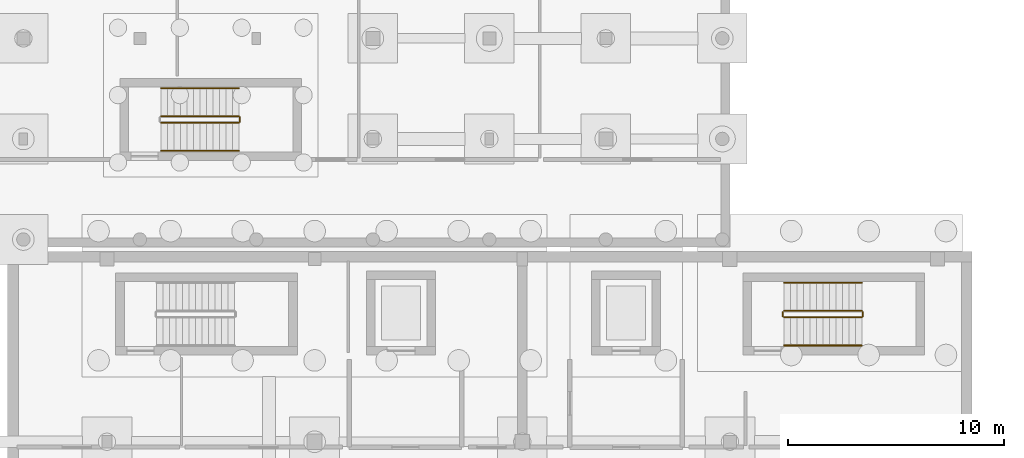
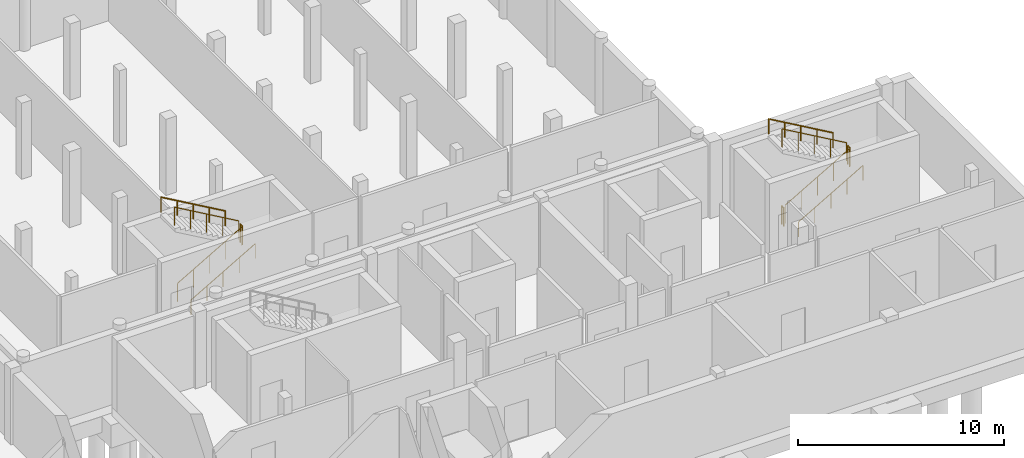
# One storey, part 12 of 14: 11 railings.
"""IFC4 building model written with IfcOpenShell, lengths in metres."""

import ifcopenshell
import ifcopenshell.guid

model = None  # the IFC model being written
_history = None  # IfcOwnerHistory: only IFC2X3 demands one
_inside = {}  # id of a spatial element -> (the spatial element, [elements in it])
_under = {}  # id of a project, library or spatial element -> (it, [spatial elements below it])
_declared = {}  # id of a project -> (the project, [libraries it declares])
_typed = {}  # id of a type object -> (the type object, [elements of that type])
_made_of = {}  # id of a material, layer set ... -> (it, [elements and type objects made of it])


def new_model(schema):
    """Start an empty IFC model of exactly this schema.

    Asked for "IFC4X3", IfcOpenShell would pick the latest addendum, in which some entities
    have other attributes; the version numbers below select the first issue.
    IFC2X3 requires an IfcOwnerHistory on every rooted entity: one is made here for all.
    """
    global model, _history
    if schema == "IFC4X3":
        model = ifcopenshell.file(schema_version=(4, 3, 0, 0))
    else:
        model = ifcopenshell.file(schema=schema)
    _inside.clear()
    _under.clear()
    _declared.clear()
    _typed.clear()
    _made_of.clear()
    _history = None
    if model.schema == "IFC2X3":
        org = make("IfcOrganization", Name="unknown")
        user = make(
            "IfcPersonAndOrganization",
            ThePerson=make("IfcPerson", FamilyName="unknown"),
            TheOrganization=org,
        )
        app = make(
            "IfcApplication",
            ApplicationDeveloper=org,
            Version="unknown",
            ApplicationFullName="unknown",
            ApplicationIdentifier="unknown",
        )
        _history = make(
            "IfcOwnerHistory",
            OwningUser=user,
            OwningApplication=app,
            ChangeAction="ADDED",
            CreationDate=0,
        )
    return model


def make(cls, **values):
    """One entity of the class cls with the attributes given. An attribute that is None is left unset."""
    return model.create_entity(
        cls, **{name: value for name, value in values.items() if value is not None}
    )


def rooted(cls, **values):
    """An entity with a GlobalId (a new one), such as an element, a storey or a relation."""
    return make(cls, GlobalId=ifcopenshell.guid.new(), OwnerHistory=_history, **values)


def si_unit(unit_type, name, prefix=None):
    """IfcSIUnit, for example si_unit("LENGTHUNIT", "METRE", prefix="MILLI")."""
    return make("IfcSIUnit", UnitType=unit_type, Prefix=prefix, Name=name)


def assignment(units):
    """IfcUnitAssignment: the units of a project."""
    return None if units is None else make("IfcUnitAssignment", Units=units)


def point(xyz):
    """IfcCartesianPoint."""
    return None if xyz is None else make("IfcCartesianPoint", Coordinates=xyz)


def direction(xyz):
    """IfcDirection."""
    return None if xyz is None else make("IfcDirection", DirectionRatios=xyz)


def frame(location, z_axis=None, x_axis=None):
    """IfcAxis2Placement3D, a coordinate frame: its origin and axes. An axis left out is left unset."""
    return make(
        "IfcAxis2Placement3D",
        Location=point(location),
        Axis=direction(z_axis),
        RefDirection=direction(x_axis),
    )


def frame_2d(location, x_axis=None):
    """IfcAxis2Placement2D, a coordinate frame in the plane: its origin and x axis."""
    return make(
        "IfcAxis2Placement2D", Location=point(location), RefDirection=direction(x_axis)
    )


def origin():
    """The frame at (0, 0, 0) with its axes left unset."""
    return frame((0.0, 0.0, 0.0))


def origin_2d():
    """The frame at (0, 0) in the plane with its x axis left unset."""
    return frame_2d((0.0, 0.0))


def place(relative_to, where):
    """IfcLocalPlacement: puts the frame where relative to a parent placement (None: the world)."""
    return make(
        "IfcLocalPlacement", PlacementRelTo=relative_to, RelativePlacement=where
    )


def context(
    kind, dimensions, precision=None, world=None, true_north=None, identifier=None
):
    """IfcGeometricRepresentationContext, for example the 3D "Model" context."""
    return make(
        "IfcGeometricRepresentationContext",
        ContextIdentifier=identifier,
        ContextType=kind,
        CoordinateSpaceDimension=dimensions,
        Precision=precision,
        WorldCoordinateSystem=world,
        TrueNorth=true_north,
    )


def subcontext(parent, identifier, kind, view, scale=None):
    """IfcGeometricRepresentationSubContext, for example "Body" below "Model"."""
    return make(
        "IfcGeometricRepresentationSubContext",
        ContextIdentifier=identifier,
        ContextType=kind,
        ParentContext=parent,
        TargetScale=scale,
        TargetView=view,
    )


def project(units=None, contexts=None):
    """IfcProject with its units and contexts."""
    return rooted(
        "IfcProject",
        Name="project",
        RepresentationContexts=contexts,
        UnitsInContext=assignment(units),
    )


def spatial(cls, under=None, at=None, **own):
    """A site, building, storey or space (cls), placed at a placement, below another one or the project."""
    s = rooted(cls, ObjectPlacement=at, **own)
    if under is not None:
        _under.setdefault(under.id(), (under, []))[1].append(s)
    return s


def profile(cls, at=None, kind="AREA", **sizes):
    """A parametric profile (cls). Its sizes go by their IFC names, for example OverallWidth=200.0."""
    return make(cls, ProfileType=kind, Position=at, **sizes)


def circle(**sizes):
    """IfcCircleProfileDef."""
    return profile("IfcCircleProfileDef", **sizes)


def extrude(swept, where, along, depth):
    """IfcExtrudedAreaSolid: the profile swept, set in the frame where, extruded along a direction by depth."""
    return make(
        "IfcExtrudedAreaSolid",
        SweptArea=swept,
        Position=where,
        ExtrudedDirection=direction(along),
        Depth=depth,
    )


def shape(context_of_items, identifier, shape_type, items):
    """IfcShapeRepresentation: the items that make up one representation, for example the "Body"."""
    return make(
        "IfcShapeRepresentation",
        ContextOfItems=context_of_items,
        RepresentationIdentifier=identifier,
        RepresentationType=shape_type,
        Items=items,
    )


def material(Name=None, Category=None):
    """IfcMaterial."""
    return make("IfcMaterial", Name=Name, Category=Category)


def made_of(thing, what):
    """Note that an element or type object is made of a material, layer set ...; save() writes the relation."""
    if what is not None:
        _made_of.setdefault(what.id(), (what, []))[1].append(thing)
    return thing


def type_object(cls, material=None, **own):
    """A type object (cls), such as IfcWallType, which elements share."""
    return made_of(rooted(cls, **own), material)


def element(
    cls,
    number,
    at=None,
    inside=None,
    cuts=None,
    type_object=None,
    material=None,
    context=None,
    identifier="Body",
    shape_type=None,
    held_by="IfcProductDefinitionShape",
    body=None,
    shapes=None,
    **own,
):
    """One element of the class cls, such as IfcWall. Its Tag is "e" and its number.

    at: its placement. inside: the storey or other place that contains it. cuts: it is an
    opening in that element (IfcRelVoidsElement). A single representation is given by context,
    identifier, shape_type and body (its items); several are given by shapes. held_by: the class
    of the entity that holds the representations. save() writes the other relations.
    """
    e = rooted(cls, Tag="e%d" % number, ObjectPlacement=at, **own)
    if body is not None:
        shapes = [shape(context, identifier, shape_type, body)]
    if shapes is not None:
        e.Representation = make(held_by, Representations=shapes)
    if inside is not None:
        _inside.setdefault(inside.id(), (inside, []))[1].append(e)
    if cuts is not None:
        rooted(
            "IfcRelVoidsElement", RelatingBuildingElement=cuts, RelatedOpeningElement=e
        )
    if type_object is not None:
        _typed.setdefault(type_object.id(), (type_object, []))[1].append(e)
    return made_of(e, material)


def aggregate(whole, parts):
    """IfcRelAggregates: a whole, such as a stair, and the parts it consists of."""
    return rooted("IfcRelAggregates", RelatingObject=whole, RelatedObjects=parts)


def save(model, path):
    """Write the relations noted so far, then the file.

    IfcRelAggregates (storeys below a building ...), IfcRelContainedInSpatialStructure (elements
    in a storey), IfcRelDefinesByType, IfcRelAssociatesMaterial and IfcRelDeclares: one each for
    every whole, place, type object, material and project.
    """
    for whole, parts in _under.values():
        aggregate(whole, parts)
    for where, things in _inside.values():
        rooted(
            "IfcRelContainedInSpatialStructure",
            RelatedElements=things,
            RelatingStructure=where,
        )
    for kind, things in _typed.values():
        rooted("IfcRelDefinesByType", RelatedObjects=things, RelatingType=kind)
    for what, things in _made_of.values():
        rooted("IfcRelAssociatesMaterial", RelatedObjects=things, RelatingMaterial=what)
    for by, libraries in _declared.values():
        rooted("IfcRelDeclares", RelatingContext=by, RelatedDefinitions=libraries)
    model.write(path)


model = new_model("IFC4")

# Units and contexts
model_context = context("Model", 3, precision=1e-05, world=origin(), true_north=direction((0.0, 1.0)))
body_context = subcontext(model_context, "Body", "Model", "MODEL_VIEW")
ifc_project = project(units=[si_unit("LENGTHUNIT", "METRE"), si_unit("AREAUNIT", "SQUARE_METRE"), si_unit("VOLUMEUNIT", "CUBIC_METRE"), si_unit("PLANEANGLEUNIT", "RADIAN"), si_unit("MASSUNIT", "GRAM", prefix="KILO")], contexts=[model_context])

# Site, building, storey
site_placement = place(None, origin())
site = spatial("IfcSite", under=ifc_project, at=site_placement, CompositionType="ELEMENT")
building_placement = place(site_placement, origin())
building = spatial("IfcBuilding", under=site, at=building_placement, Name="Birchvale Park Specialist Clinic", CompositionType="ELEMENT")
storey_placement = place(building_placement, frame((0.0, 0.0, -4.5)))
storey = spatial("IfcBuildingStorey", under=building, at=storey_placement, Name="B1", CompositionType="ELEMENT", Elevation=-4.5)

# Railings
ifc_material_1 = material(Name="Brushed stainless steel guard railing", Category="steel")
railing_type_1 = type_object("IfcRailingType", Name="RL-GRD1", PredefinedType="GUARDRAIL", material=ifc_material_1)
railing_1_placement = place(storey_placement, frame((63.89990234375, 40.550048828125, 0.173095703125)))
element("IfcRailing", 1, at=railing_1_placement, inside=storey, type_object=railing_type_1, Name="B1 ST1 stair guard 1", PredefinedType="GUARDRAIL", context=body_context, shape_type="SweptSolid", body=[
    extrude(circle(Radius=0.02392578125, at=origin_2d()), frame((0.0, 0.0, 1.076171875), z_axis=(0.866193409371, 0.0, 0.499708892819), x_axis=(0.0, 1.0, 0.0)), (0.0, 0.0, 1.0), 4.15625),
    extrude(circle(Radius=0.02099609375, at=origin_2d()), origin(), (0.0, 0.0, 1.0), 1.052001953125),
    extrude(circle(Radius=0.02099609375, at=origin_2d()), frame((0.89990234375, 0.0, 0.519287109375)), (0.0, 0.0, 1.0), 1.052001953125),
    extrude(circle(Radius=0.02099609375, at=origin_2d()), frame((1.800048828125, 0.0, 1.03857421875)), (0.0, 0.0, 1.0), 1.052001953125),
    extrude(circle(Radius=0.02099609375, at=origin_2d()), frame((2.7001953125, 0.0, 1.5576171875)), (0.0, 0.0, 1.0), 1.052001953125),
    extrude(circle(Radius=0.02099609375, at=origin_2d()), frame((3.60009765625, 0.0, 2.076904296875)), (0.0, 0.0, 1.0), 1.052001953125),
])
railing_2_placement = place(storey_placement, frame((67.550048828125, 40.60009765625, 2.25)))
element("IfcRailing", 2, at=railing_2_placement, inside=storey, type_object=railing_type_1, Name="B1 ST1 stair guard 2", PredefinedType="GUARDRAIL", context=body_context, shape_type="SweptSolid", body=[
    extrude(circle(Radius=0.02392578125, at=origin_2d()), frame((0.0, 0.0, 1.076171875), z_axis=(0.0, 1.0, 0.0), x_axis=(-1.0, 0.0, 0.0)), (0.0, 0.0, 1.0), 0.199951171875),
    extrude(circle(Radius=0.02099609375, at=origin_2d()), origin(), (0.0, 0.0, 1.0), 1.052001953125),
    extrude(circle(Radius=0.02099609375, at=origin_2d()), frame((0.0, 0.199951171875, 0.0)), (0.0, 0.0, 1.0), 1.052001953125),
])
railing_3_placement = place(storey_placement, frame((67.5, 40.85009765625, 2.423095703125)))
element("IfcRailing", 3, at=railing_3_placement, inside=storey, type_object=railing_type_1, Name="B1 ST1 stair guard 3", PredefinedType="GUARDRAIL", context=body_context, shape_type="SweptSolid", body=[
    extrude(circle(Radius=0.02392578125, at=origin_2d()), frame((0.0, 0.0, 1.076171875), z_axis=(-0.866193409371, 0.0, 0.499708892819), x_axis=(0.0, -1.0, 0.0)), (0.0, 0.0, 1.0), 4.15625),
    extrude(circle(Radius=0.02099609375, at=origin_2d()), origin(), (0.0, 0.0, 1.0), 1.052001953125),
    extrude(circle(Radius=0.02099609375, at=origin_2d()), frame((-0.89990234375, 0.0, 0.519287109375)), (0.0, 0.0, 1.0), 1.052001953125),
    extrude(circle(Radius=0.02099609375, at=origin_2d()), frame((-1.800048828125, 0.0, 1.03857421875)), (0.0, 0.0, 1.0), 1.052001953125),
    extrude(circle(Radius=0.02099609375, at=origin_2d()), frame((-2.7001953125, 0.0, 1.5576171875)), (0.0, 0.0, 1.0), 1.052001953125),
    extrude(circle(Radius=0.02099609375, at=origin_2d()), frame((-3.60009765625, 0.0, 2.076904296875)), (0.0, 0.0, 1.0), 1.052001953125),
])
railing_4_placement = place(storey_placement, frame((92.699951171875, 31.550048828125, 0.173095703125)))
element("IfcRailing", 4, at=railing_4_placement, inside=storey, type_object=railing_type_1, Name="B1 ST5 stair guard 1", PredefinedType="GUARDRAIL", context=body_context, shape_type="SweptSolid", body=[
    extrude(circle(Radius=0.02392578125, at=origin_2d()), frame((0.0, 0.0, 1.076171875), z_axis=(0.866193409371, 0.0, 0.499708892819), x_axis=(0.0, 1.0, 0.0)), (0.0, 0.0, 1.0), 4.15625),
    extrude(circle(Radius=0.02099609375, at=origin_2d()), origin(), (0.0, 0.0, 1.0), 1.052001953125),
    extrude(circle(Radius=0.02099609375, at=origin_2d()), frame((0.89990234375, 0.0, 0.519287109375)), (0.0, 0.0, 1.0), 1.052001953125),
    extrude(circle(Radius=0.02099609375, at=origin_2d()), frame((1.800048828125, 0.0, 1.03857421875)), (0.0, 0.0, 1.0), 1.052001953125),
    extrude(circle(Radius=0.02099609375, at=origin_2d()), frame((2.7001953125, 0.0, 1.5576171875)), (0.0, 0.0, 1.0), 1.052001953125),
    extrude(circle(Radius=0.02099609375, at=origin_2d()), frame((3.60009765625, 0.0, 2.076904296875)), (0.0, 0.0, 1.0), 1.052001953125),
])
railing_5_placement = place(storey_placement, frame((96.35009765625, 31.60009765625, 2.25)))
element("IfcRailing", 5, at=railing_5_placement, inside=storey, type_object=railing_type_1, Name="B1 ST5 stair guard 2", PredefinedType="GUARDRAIL", context=body_context, shape_type="SweptSolid", body=[
    extrude(circle(Radius=0.02392578125, at=origin_2d()), frame((0.0, 0.0, 1.076171875), z_axis=(0.0, 1.0, 0.0), x_axis=(-1.0, 0.0, 0.0)), (0.0, 0.0, 1.0), 0.199951171875),
    extrude(circle(Radius=0.02099609375, at=origin_2d()), origin(), (0.0, 0.0, 1.0), 1.052001953125),
    extrude(circle(Radius=0.02099609375, at=origin_2d()), frame((0.0, 0.199951171875, 0.0)), (0.0, 0.0, 1.0), 1.052001953125),
])
railing_6_placement = place(storey_placement, frame((96.300048828125, 31.85009765625, 2.423095703125)))
element("IfcRailing", 6, at=railing_6_placement, inside=storey, type_object=railing_type_1, Name="B1 ST5 stair guard 3", PredefinedType="GUARDRAIL", context=body_context, shape_type="SweptSolid", body=[
    extrude(circle(Radius=0.02392578125, at=origin_2d()), frame((0.0, 0.0, 1.076171875), z_axis=(-0.866193409371, 0.0, 0.499708892819), x_axis=(0.0, -1.0, 0.0)), (0.0, 0.0, 1.0), 4.15625),
    extrude(circle(Radius=0.02099609375, at=origin_2d()), origin(), (0.0, 0.0, 1.0), 1.052001953125),
    extrude(circle(Radius=0.02099609375, at=origin_2d()), frame((-0.89990234375, 0.0, 0.519287109375)), (0.0, 0.0, 1.0), 1.052001953125),
    extrude(circle(Radius=0.02099609375, at=origin_2d()), frame((-1.800048828125, 0.0, 1.03857421875)), (0.0, 0.0, 1.0), 1.052001953125),
    extrude(circle(Radius=0.02099609375, at=origin_2d()), frame((-2.7001953125, 0.0, 1.5576171875)), (0.0, 0.0, 1.0), 1.052001953125),
    extrude(circle(Radius=0.02099609375, at=origin_2d()), frame((-3.60009765625, 0.0, 2.076904296875)), (0.0, 0.0, 1.0), 1.052001953125),
])
railing_7_placement = place(storey_placement, frame((92.64990234375, 31.60009765625, 0.0)))
element("IfcRailing", 7, at=railing_7_placement, inside=storey, type_object=railing_type_1, Name="B1 ST5 stair guard 4", PredefinedType="GUARDRAIL", context=body_context, shape_type="SweptSolid", body=[
    extrude(circle(Radius=0.02392578125, at=origin_2d()), frame((0.0, 0.0, 1.076171875), z_axis=(0.0, 1.0, 0.0), x_axis=(-1.0, 0.0, 0.0)), (0.0, 0.0, 1.0), 0.199951171875),
    extrude(circle(Radius=0.02099609375, at=origin_2d()), origin(), (0.0, 0.0, 1.0), 1.052001953125),
    extrude(circle(Radius=0.02099609375, at=origin_2d()), frame((0.0, 0.199951171875, 0.0)), (0.0, 0.0, 1.0), 1.052001953125),
])
ifc_material_2 = material(Name="Anodised aluminium handrail", Category="aluminium")
railing_type_2 = type_object("IfcRailingType", Name="RL-HND1", PredefinedType="HANDRAIL", material=ifc_material_2)
railing_8_placement = place(storey_placement, frame((63.89990234375, 39.25, 0.173095703125)))
element("IfcRailing", 8, at=railing_8_placement, inside=storey, type_object=railing_type_2, Name="B1 ST1 stair handrail 1", PredefinedType="HANDRAIL", context=body_context, shape_type="SweptSolid", body=[
    extrude(circle(Radius=0.02392578125, at=origin_2d()), frame((0.0, 0.0, 0.8759765625), z_axis=(0.866193409371, 0.0, 0.499708892819), x_axis=(0.0, 1.0, 0.0)), (0.0, 0.0, 1.0), 4.15625),
    extrude(circle(Radius=0.02099609375, at=origin_2d()), origin(), (0.0, 0.0, 1.0), 0.851806640625),
    extrude(circle(Radius=0.02099609375, at=origin_2d()), frame((0.89990234375, 0.0, 0.519287109375)), (0.0, 0.0, 1.0), 0.851806640625),
    extrude(circle(Radius=0.02099609375, at=origin_2d()), frame((1.800048828125, 0.0, 1.03857421875)), (0.0, 0.0, 1.0), 0.851806640625),
    extrude(circle(Radius=0.02099609375, at=origin_2d()), frame((2.7001953125, 0.0, 1.5576171875)), (0.0, 0.0, 1.0), 0.851806640625),
    extrude(circle(Radius=0.02099609375, at=origin_2d()), frame((3.60009765625, 0.0, 2.076904296875)), (0.0, 0.0, 1.0), 0.851806640625),
])
railing_9_placement = place(storey_placement, frame((67.5, 42.14990234375, 2.423095703125)))
element("IfcRailing", 9, at=railing_9_placement, inside=storey, type_object=railing_type_2, Name="B1 ST1 stair handrail 2", PredefinedType="HANDRAIL", context=body_context, shape_type="SweptSolid", body=[
    extrude(circle(Radius=0.02392578125, at=origin_2d()), frame((0.0, 0.0, 0.8759765625), z_axis=(-0.866193409371, 0.0, 0.499708892819), x_axis=(0.0, -1.0, 0.0)), (0.0, 0.0, 1.0), 4.15625),
    extrude(circle(Radius=0.02099609375, at=origin_2d()), origin(), (0.0, 0.0, 1.0), 0.851806640625),
    extrude(circle(Radius=0.02099609375, at=origin_2d()), frame((-0.89990234375, 0.0, 0.519287109375)), (0.0, 0.0, 1.0), 0.851806640625),
    extrude(circle(Radius=0.02099609375, at=origin_2d()), frame((-1.800048828125, 0.0, 1.03857421875)), (0.0, 0.0, 1.0), 0.851806640625),
    extrude(circle(Radius=0.02099609375, at=origin_2d()), frame((-2.7001953125, 0.0, 1.5576171875)), (0.0, 0.0, 1.0), 0.851806640625),
    extrude(circle(Radius=0.02099609375, at=origin_2d()), frame((-3.60009765625, 0.0, 2.076904296875)), (0.0, 0.0, 1.0), 0.851806640625),
])
railing_10_placement = place(storey_placement, frame((92.699951171875, 30.25, 0.173095703125)))
element("IfcRailing", 10, at=railing_10_placement, inside=storey, type_object=railing_type_2, Name="B1 ST5 stair handrail 1", PredefinedType="HANDRAIL", context=body_context, shape_type="SweptSolid", body=[
    extrude(circle(Radius=0.02392578125, at=origin_2d()), frame((0.0, 0.0, 0.8759765625), z_axis=(0.866193409371, 0.0, 0.499708892819), x_axis=(0.0, 1.0, 0.0)), (0.0, 0.0, 1.0), 4.15625),
    extrude(circle(Radius=0.02099609375, at=origin_2d()), origin(), (0.0, 0.0, 1.0), 0.851806640625),
    extrude(circle(Radius=0.02099609375, at=origin_2d()), frame((0.89990234375, 0.0, 0.519287109375)), (0.0, 0.0, 1.0), 0.851806640625),
    extrude(circle(Radius=0.02099609375, at=origin_2d()), frame((1.800048828125, 0.0, 1.03857421875)), (0.0, 0.0, 1.0), 0.851806640625),
    extrude(circle(Radius=0.02099609375, at=origin_2d()), frame((2.7001953125, 0.0, 1.5576171875)), (0.0, 0.0, 1.0), 0.851806640625),
    extrude(circle(Radius=0.02099609375, at=origin_2d()), frame((3.60009765625, 0.0, 2.076904296875)), (0.0, 0.0, 1.0), 0.851806640625),
])
railing_11_placement = place(storey_placement, frame((96.300048828125, 33.14990234375, 2.423095703125)))
element("IfcRailing", 11, at=railing_11_placement, inside=storey, type_object=railing_type_2, Name="B1 ST5 stair handrail 2", PredefinedType="HANDRAIL", context=body_context, shape_type="SweptSolid", body=[
    extrude(circle(Radius=0.02392578125, at=origin_2d()), frame((0.0, 0.0, 0.8759765625), z_axis=(-0.866193409371, 0.0, 0.499708892819), x_axis=(0.0, -1.0, 0.0)), (0.0, 0.0, 1.0), 4.15625),
    extrude(circle(Radius=0.02099609375, at=origin_2d()), origin(), (0.0, 0.0, 1.0), 0.851806640625),
    extrude(circle(Radius=0.02099609375, at=origin_2d()), frame((-0.89990234375, 0.0, 0.519287109375)), (0.0, 0.0, 1.0), 0.851806640625),
    extrude(circle(Radius=0.02099609375, at=origin_2d()), frame((-1.800048828125, 0.0, 1.03857421875)), (0.0, 0.0, 1.0), 0.851806640625),
    extrude(circle(Radius=0.02099609375, at=origin_2d()), frame((-2.7001953125, 0.0, 1.5576171875)), (0.0, 0.0, 1.0), 0.851806640625),
    extrude(circle(Radius=0.02099609375, at=origin_2d()), frame((-3.60009765625, 0.0, 2.076904296875)), (0.0, 0.0, 1.0), 0.851806640625),
])

save(model, "model.ifc")
